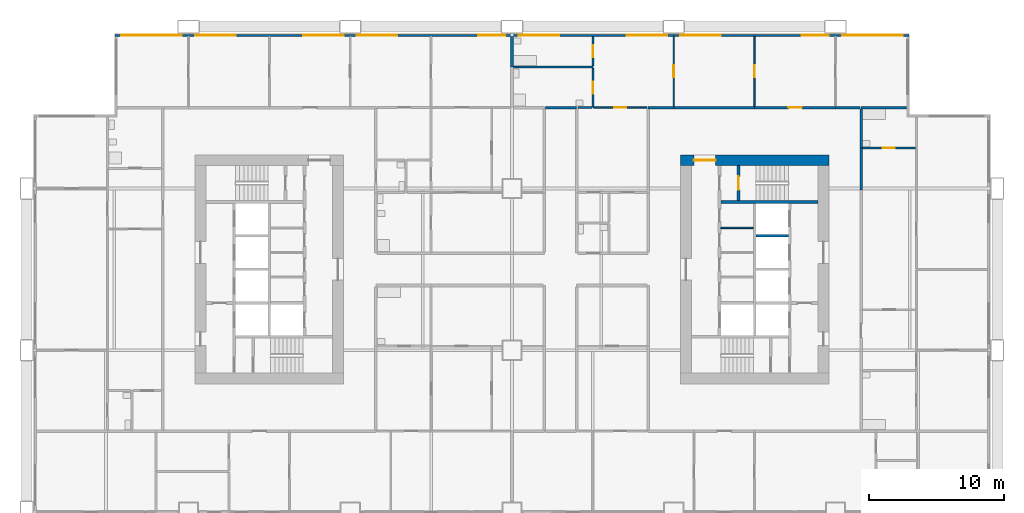
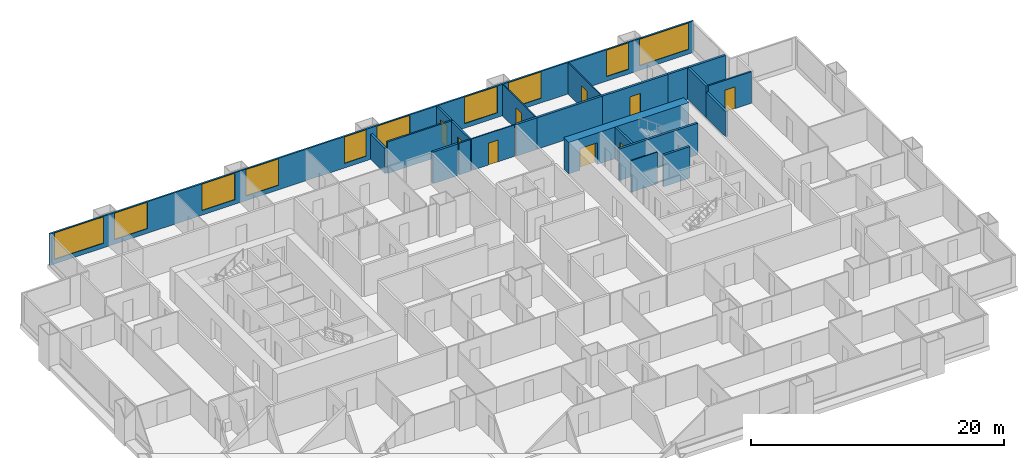
# One storey, part 9 of 13: 23 walls, 10 windows, 9 doors, 19 openings.
"""IFC4 building model written with IfcOpenShell, lengths in metres."""

from ifc_helpers import new_model, si_unit, direction, frame, frame_2d, origin, place, context, subcontext, project, spatial, rectangle, extrude, material, layer, layer_set, type_object, element, fill, save


model = new_model("IFC4")

# Units and contexts
model_context = context("Model", 3, precision=1e-05, world=origin(), true_north=direction((0.0, 1.0)))
body_context = subcontext(model_context, "Body", "Model", "MODEL_VIEW")
ifc_project = project(units=[si_unit("LENGTHUNIT", "METRE"), si_unit("AREAUNIT", "SQUARE_METRE"), si_unit("VOLUMEUNIT", "CUBIC_METRE"), si_unit("PLANEANGLEUNIT", "RADIAN"), si_unit("MASSUNIT", "GRAM", prefix="KILO")], contexts=[model_context])

# Site, building, storey
site_placement = place(None, origin())
site = spatial("IfcSite", under=ifc_project, at=site_placement, CompositionType="ELEMENT")
building_placement = place(site_placement, origin())
building = spatial("IfcBuilding", under=site, at=building_placement, Name="Kitamizu Gate Tower and Museum", CompositionType="ELEMENT")
storey_placement = place(building_placement, frame((0.0, 0.0, 81.75)))
storey = spatial("IfcBuildingStorey", under=building, at=storey_placement, Name="L20", CompositionType="ELEMENT", Elevation=81.75)

# Wall, opening, door
ifc_material_1 = material(Name="Concrete Fc60", Category="concrete")
ifc_layer_1 = layer(ifc_material_1, 0.800048828125)
ifc_layer_set_1 = layer_set([ifc_layer_1], Name="Concrete Fc60")
wall_type_1 = type_object("IfcWallType", Name="Core wall 800", PredefinedType="SHEAR", material=ifc_layer_set_1)
wall_1_placement = place(storey_placement, frame((59.5, 38.10009765625, 0.0), z_axis=(0.0, 0.0, 1.0), x_axis=(-1.0, 0.0, 0.0)))
wall_1 = element("IfcWall", 1, at=wall_1_placement, inside=storey, type_object=wall_type_1, Name="Core wall EN", PredefinedType="SHEAR", context=body_context, shape_type="SweptSolid", body=[
    extrude(rectangle(XDim=11.0, YDim=0.800048828125, at=frame_2d((5.5, 0.0))), origin(), (0.0, 0.0, 1.0), 3.050048828125),
])
opening_1_placement = place(wall_1_placement, frame((8.39990234375, 0.0, 0.0)))
opening_1 = element("IfcOpeningElement", 2, at=opening_1_placement, cuts=wall_1, Name="Opening L20-096", PredefinedType="OPENING", context=body_context, shape_type="SweptSolid", body=[
    extrude(rectangle(XDim=1.60009765625, YDim=2.10009765625, at=frame_2d((0.800048828125, 1.050048828125))), frame((0.0, 0.41015625, 0.0), z_axis=(0.0, -1.0, 0.0), x_axis=(1.0, 0.0, 0.0)), (0.0, 0.0, 1.0), 0.820068359375),
])
ifc_material_2 = material(Name="Timber door set", Category="wood")
door_type_1 = type_object("IfcDoorType", Name="Entrance door 1600", OperationType="DOUBLE_DOOR_SINGLE_SWING", PredefinedType="DOOR", material=ifc_material_2)
door_1_placement = place(opening_1_placement, origin())
door_1 = element("IfcDoor", 3, at=door_1_placement, inside=storey, type_object=door_type_1, Name="Lobby door L20-096", OperationType="DOUBLE_DOOR_SINGLE_SWING", OverallHeight=2.10009765625, OverallWidth=1.60009765625, PredefinedType="DOOR", context=body_context, shape_type="SweptSolid", body=[
    extrude(rectangle(XDim=1.60009765625, YDim=2.10009765625, at=frame_2d((0.800048828125, 1.050048828125))), frame((0.0, 0.02490234375, 0.0), z_axis=(0.0, -1.0, 0.0), x_axis=(1.0, 0.0, 0.0)), (0.0, 0.0, 1.0), 0.050048828125),
])
fill(opening_1, door_1)

# Wall
ifc_material_3 = material(Name="Gypsum board on galvanised stud")
ifc_layer_2 = layer(ifc_material_3, 0.10009765625)
ifc_layer_set_2 = layer_set([ifc_layer_2], Name="Gypsum board on galvanised stud")
wall_type_2 = type_object("IfcWallType", Name="Partition 100", PredefinedType="PARTITIONING", material=ifc_layer_set_2)
wall_2_placement = place(storey_placement, frame((53.89990234375, 33.074951171875, 0.0), z_axis=(0.0, 0.0, 1.0), x_axis=(-1.0, 0.0, 0.0)))
element("IfcWall", 4, at=wall_2_placement, inside=storey, type_object=wall_type_2, Name="Partition EPF3", PredefinedType="PARTITIONING", context=body_context, shape_type="SweptSolid", body=[
    extrude(rectangle(XDim=2.39990234375, YDim=0.10009765625, at=frame_2d((1.199951171875, 0.0))), origin(), (0.0, 0.0, 1.0), 3.050048828125),
])

# Wall, opening, door
ifc_material_4 = material(Name="Gypsum board on galvanised stud")
ifc_layer_3 = layer(ifc_material_4, 0.10009765625)
ifc_layer_set_3 = layer_set([ifc_layer_3], Name="Gypsum board on galvanised stud")
wall_type_3 = type_object("IfcWallType", Name="Partition 100 NOT RATED", PredefinedType="PARTITIONING", material=ifc_layer_set_3)
wall_3_placement = place(storey_placement, frame((48.0, 42.10009765625, 0.0), z_axis=(0.0, 0.0, 1.0), x_axis=(0.0, 1.0, 0.0)))
wall_3 = element("IfcWall", 5, at=wall_3_placement, inside=storey, type_object=wall_type_3, Name="Partition L20-193", PredefinedType="PARTITIONING", context=body_context, shape_type="SweptSolid", body=[
    extrude(rectangle(XDim=5.179931640625, YDim=0.10009765625, at=frame_2d((2.58984375, 0.0))), origin(), (0.0, 0.0, 1.0), 3.050048828125),
])
opening_2_placement = place(wall_3_placement, frame((2.139892578125, 0.0, 0.0)))
opening_2 = element("IfcOpeningElement", 6, at=opening_2_placement, cuts=wall_3, Name="Opening L20-069", PredefinedType="OPENING", context=body_context, shape_type="SweptSolid", body=[
    extrude(rectangle(XDim=0.89990234375, YDim=2.10009765625, at=frame_2d((0.449951171875, 1.050048828125))), frame((0.0, 0.06005859375, 0.0), z_axis=(0.0, -1.0, 0.0), x_axis=(1.0, 0.0, 0.0)), (0.0, 0.0, 1.0), 0.1201171875),
])
ifc_material_5 = material(Name="Timber door set", Category="wood")
door_type_2 = type_object("IfcDoorType", Name="Room door 900", OperationType="NOTDEFINED", PredefinedType="DOOR", material=ifc_material_5)
door_2_placement = place(opening_2_placement, origin())
door_2 = element("IfcDoor", 7, at=door_2_placement, inside=storey, type_object=door_type_2, Name="Door L20-069", OperationType="SINGLE_SWING_LEFT", OverallHeight=2.10009765625, OverallWidth=0.89990234375, PredefinedType="DOOR", context=body_context, shape_type="SweptSolid", body=[
    extrude(rectangle(XDim=0.89990234375, YDim=2.10009765625, at=frame_2d((0.449951171875, 1.050048828125))), frame((0.0, 0.02490234375, 0.0), z_axis=(0.0, -1.0, 0.0), x_axis=(1.0, 0.0, 0.0)), (0.0, 0.0, 1.0), 0.050048828125),
])
fill(opening_2, door_2)

wall_4_placement = place(storey_placement, frame((42.074951171875, 42.0, 0.0), z_axis=(0.0, 0.0, 1.0), x_axis=(1.0, 0.0, 0.0)))
wall_4 = element("IfcWall", 8, at=wall_4_placement, inside=storey, type_object=wall_type_3, Name="Partition L20-194", PredefinedType="PARTITIONING", context=body_context, shape_type="SweptSolid", body=[
    extrude(rectangle(XDim=3.925048828125, YDim=0.10009765625, at=frame_2d((1.96240234375, 0.0))), origin(), (0.0, 0.0, 1.0), 3.050048828125),
])
opening_3_placement = place(wall_4_placement, frame((1.512451171875, 0.0, 0.0)))
opening_3 = element("IfcOpeningElement", 9, at=opening_3_placement, cuts=wall_4, Name="Opening L20-070", PredefinedType="OPENING", context=body_context, shape_type="SweptSolid", body=[
    extrude(rectangle(XDim=0.89990234375, YDim=2.10009765625, at=frame_2d((0.449951171875, 1.050048828125))), frame((0.0, 0.06005859375, 0.0), z_axis=(0.0, -1.0, 0.0), x_axis=(1.0, 0.0, 0.0)), (0.0, 0.0, 1.0), 0.1201171875),
])
door_3_placement = place(opening_3_placement, origin())
door_3 = element("IfcDoor", 10, at=door_3_placement, inside=storey, type_object=door_type_2, Name="Door L20-070", OperationType="SINGLE_SWING_RIGHT", OverallHeight=2.10009765625, OverallWidth=0.89990234375, PredefinedType="DOOR", context=body_context, shape_type="SweptSolid", body=[
    extrude(rectangle(XDim=0.89990234375, YDim=2.10009765625, at=frame_2d((0.449951171875, 1.050048828125))), frame((0.0, 0.02490234375, 0.0), z_axis=(0.0, -1.0, 0.0), x_axis=(1.0, 0.0, 0.0)), (0.0, 0.0, 1.0), 0.050048828125),
])
fill(opening_3, door_3)

wall_5_placement = place(storey_placement, frame((54.0, 42.10009765625, 0.0), z_axis=(0.0, 0.0, 1.0), x_axis=(0.0, 1.0, 0.0)))
wall_5 = element("IfcWall", 11, at=wall_5_placement, inside=storey, type_object=wall_type_3, Name="Partition L20-196", PredefinedType="PARTITIONING", context=body_context, shape_type="SweptSolid", body=[
    extrude(rectangle(XDim=5.179931640625, YDim=0.10009765625, at=frame_2d((2.58984375, 0.0))), origin(), (0.0, 0.0, 1.0), 3.050048828125),
])
opening_4_placement = place(wall_5_placement, frame((2.139892578125, 0.0, 0.0)))
opening_4 = element("IfcOpeningElement", 12, at=opening_4_placement, cuts=wall_5, Name="Opening L20-068", PredefinedType="OPENING", context=body_context, shape_type="SweptSolid", body=[
    extrude(rectangle(XDim=0.89990234375, YDim=2.10009765625, at=frame_2d((0.449951171875, 1.050048828125))), frame((0.0, 0.06005859375, 0.0), z_axis=(0.0, -1.0, 0.0), x_axis=(1.0, 0.0, 0.0)), (0.0, 0.0, 1.0), 0.1201171875),
])
door_4_placement = place(opening_4_placement, origin())
door_4 = element("IfcDoor", 13, at=door_4_placement, inside=storey, type_object=door_type_2, Name="Door L20-068", OperationType="SINGLE_SWING_RIGHT", OverallHeight=2.10009765625, OverallWidth=0.89990234375, PredefinedType="DOOR", context=body_context, shape_type="SweptSolid", body=[
    extrude(rectangle(XDim=0.89990234375, YDim=2.10009765625, at=frame_2d((0.449951171875, 1.050048828125))), frame((0.0, 0.02490234375, 0.0), z_axis=(0.0, -1.0, 0.0), x_axis=(1.0, 0.0, 0.0)), (0.0, 0.0, 1.0), 0.050048828125),
])
fill(opening_4, door_4)

ifc_material_6 = material(Name="Gypsum board on galvanised stud")
ifc_layer_4 = layer(ifc_material_6, 0.14990234375)
ifc_layer_set_4 = layer_set([ifc_layer_4], Name="Gypsum board on galvanised stud")
wall_type_4 = type_object("IfcWallType", Name="Partition 150", PredefinedType="PARTITIONING", material=ifc_layer_set_4)
wall_6_placement = place(storey_placement, frame((65.925048828125, 39.0, 0.0), z_axis=(0.0, 0.0, 1.0), x_axis=(-1.0, 0.0, 0.0)))
wall_6 = element("IfcWall", 14, at=wall_6_placement, inside=storey, type_object=wall_type_4, Name="Partition L20-183", PredefinedType="PARTITIONING", context=body_context, shape_type="SweptSolid", body=[
    extrude(rectangle(XDim=3.925048828125, YDim=0.14990234375, at=frame_2d((1.96240234375, 0.0))), origin(), (0.0, 0.0, 1.0), 3.050048828125),
])
opening_5_placement = place(wall_6_placement, frame((1.512451171875, 0.0, 0.0)))
opening_5 = element("IfcOpeningElement", 15, at=opening_5_placement, cuts=wall_6, Name="Opening L20-065", PredefinedType="OPENING", context=body_context, shape_type="SweptSolid", body=[
    extrude(rectangle(XDim=0.89990234375, YDim=2.10009765625, at=frame_2d((0.449951171875, 1.050048828125))), frame((0.0, 0.0849609375, 0.0), z_axis=(0.0, -1.0, 0.0), x_axis=(1.0, 0.0, 0.0)), (0.0, 0.0, 1.0), 0.169921875),
])
ifc_material_7 = material(Name="Timber door set", Category="wood")
door_type_3 = type_object("IfcDoorType", Name="Bathroom door 900", OperationType="NOTDEFINED", PredefinedType="DOOR", material=ifc_material_7)
door_5_placement = place(opening_5_placement, frame((0.89990234375, 0.0, 0.0), x_axis=(-1.0, 0.0, 0.0)))
door_5 = element("IfcDoor", 16, at=door_5_placement, inside=storey, type_object=door_type_3, Name="Bathroom door L20-065", OperationType="SINGLE_SWING_RIGHT", OverallHeight=2.10009765625, OverallWidth=0.89990234375, PredefinedType="DOOR", context=body_context, shape_type="SweptSolid", body=[
    extrude(rectangle(XDim=0.89990234375, YDim=2.10009765625, at=frame_2d((0.449951171875, 1.050048828125))), frame((0.0, 0.02490234375, 0.0), z_axis=(0.0, -1.0, 0.0), x_axis=(1.0, 0.0, 0.0)), (0.0, 0.0, 1.0), 0.050048828125),
])
fill(opening_5, door_5)

# Wall
wall_7_placement = place(storey_placement, frame((42.0, 45.0, 0.0), z_axis=(0.0, 0.0, 1.0), x_axis=(-1.0, 0.0, 0.0)))
element("IfcWall", 17, at=wall_7_placement, inside=storey, type_object=wall_type_4, Name="Partition L20-188", PredefinedType="PARTITIONING", context=body_context, shape_type="SweptSolid", body=[
    extrude(rectangle(XDim=5.89990234375, YDim=0.14990234375, at=frame_2d((2.949951171875, 0.0))), origin(), (0.0, 0.0, 1.0), 3.050048828125),
])

# Wall, opening, door
wall_8_placement = place(storey_placement, frame((42.0, 42.0, 0.0), z_axis=(0.0, 0.0, 1.0), x_axis=(0.0, 1.0, 0.0)))
wall_8 = element("IfcWall", 18, at=wall_8_placement, inside=storey, type_object=wall_type_4, Name="Partition L20-189", PredefinedType="PARTITIONING", context=body_context, shape_type="SweptSolid", body=[
    extrude(rectangle(XDim=2.925048828125, YDim=0.14990234375, at=frame_2d((1.46240234375, 0.0))), origin(), (0.0, 0.0, 1.0), 3.050048828125),
])
opening_6_placement = place(wall_8_placement, frame((1.012451171875, 0.0, 0.0)))
opening_6 = element("IfcOpeningElement", 19, at=opening_6_placement, cuts=wall_8, Name="Opening L20-073", PredefinedType="OPENING", context=body_context, shape_type="SweptSolid", body=[
    extrude(rectangle(XDim=0.89990234375, YDim=2.10009765625, at=frame_2d((0.449951171875, 1.050048828125))), frame((0.0, 0.0849609375, 0.0), z_axis=(0.0, -1.0, 0.0), x_axis=(1.0, 0.0, 0.0)), (0.0, 0.0, 1.0), 0.169921875),
])
door_6_placement = place(opening_6_placement, origin())
door_6 = element("IfcDoor", 20, at=door_6_placement, inside=storey, type_object=door_type_3, Name="Bathroom door L20-073", OperationType="SINGLE_SWING_LEFT", OverallHeight=2.10009765625, OverallWidth=0.89990234375, PredefinedType="DOOR", context=body_context, shape_type="SweptSolid", body=[
    extrude(rectangle(XDim=0.89990234375, YDim=2.10009765625, at=frame_2d((0.449951171875, 1.050048828125))), frame((0.0, 0.02490234375, 0.0), z_axis=(0.0, -1.0, 0.0), x_axis=(1.0, 0.0, 0.0)), (0.0, 0.0, 1.0), 0.050048828125),
])
fill(opening_6, door_6)

# Wall
wall_9_placement = place(storey_placement, frame((40.89990234375, 42.0, 0.0), z_axis=(0.0, 0.0, 1.0), x_axis=(1.0, 0.0, 0.0)))
element("IfcWall", 21, at=wall_9_placement, inside=storey, type_object=wall_type_4, Name="Partition L20-190", PredefinedType="PARTITIONING", context=body_context, shape_type="SweptSolid", body=[
    extrude(rectangle(XDim=1.025146484375, YDim=0.14990234375, at=frame_2d((0.5126953125, 0.0))), origin(), (0.0, 0.0, 1.0), 3.050048828125),
])

# Wall, opening, door
wall_10_placement = place(storey_placement, frame((42.0, 45.074951171875, 0.0), z_axis=(0.0, 0.0, 1.0), x_axis=(0.0, 1.0, 0.0)))
wall_10 = element("IfcWall", 22, at=wall_10_placement, inside=storey, type_object=wall_type_4, Name="Partition L20-192", PredefinedType="PARTITIONING", context=body_context, shape_type="SweptSolid", body=[
    extrude(rectangle(XDim=2.205078125, YDim=0.14990234375, at=frame_2d((1.1025390625, 0.0))), origin(), (0.0, 0.0, 1.0), 3.050048828125),
])
opening_7_placement = place(wall_10_placement, frame((0.652587890625, 0.0, 0.0)))
opening_7 = element("IfcOpeningElement", 23, at=opening_7_placement, cuts=wall_10, Name="Opening L20-074", PredefinedType="OPENING", context=body_context, shape_type="SweptSolid", body=[
    extrude(rectangle(XDim=0.89990234375, YDim=2.10009765625, at=frame_2d((0.449951171875, 1.050048828125))), frame((0.0, 0.0849609375, 0.0), z_axis=(0.0, -1.0, 0.0), x_axis=(1.0, 0.0, 0.0)), (0.0, 0.0, 1.0), 0.169921875),
])
door_7_placement = place(opening_7_placement, origin())
door_7 = element("IfcDoor", 24, at=door_7_placement, inside=storey, type_object=door_type_3, Name="Bathroom door L20-074", OperationType="SINGLE_SWING_RIGHT", OverallHeight=2.10009765625, OverallWidth=0.89990234375, PredefinedType="DOOR", context=body_context, shape_type="SweptSolid", body=[
    extrude(rectangle(XDim=0.89990234375, YDim=2.10009765625, at=frame_2d((0.449951171875, 1.050048828125))), frame((0.0, 0.02490234375, 0.0), z_axis=(0.0, -1.0, 0.0), x_axis=(1.0, 0.0, 0.0)), (0.0, 0.0, 1.0), 0.050048828125),
])
fill(opening_7, door_7)

# Walls
ifc_material_8 = material(Name="Gypsum board on galvanised stud")
ifc_layer_5 = layer(ifc_material_8, 0.199951171875)
ifc_layer_set_5 = layer_set([ifc_layer_5], Name="Gypsum board on galvanised stud")
wall_type_5 = type_object("IfcWallType", Name="Partition 200", PredefinedType="PARTITIONING", material=ifc_layer_set_5)
wall_11_placement = place(storey_placement, frame((36.0, 45.0, 0.0), z_axis=(0.0, 0.0, 1.0), x_axis=(0.0, 1.0, 0.0)))
element("IfcWall", 25, at=wall_11_placement, inside=storey, type_object=wall_type_5, Name="Partition L20-095", PredefinedType="PARTITIONING", context=body_context, shape_type="SweptSolid", body=[
    extrude(rectangle(XDim=2.280029296875, YDim=0.199951171875, at=frame_2d((1.14013671875, 0.0))), origin(), (0.0, 0.0, 1.0), 2.449951171875),
])
wall_12_placement = place(storey_placement, frame((61.89990234375, 39.0, 0.0), z_axis=(0.0, 0.0, 1.0), x_axis=(0.0, -1.0, 0.0)))
element("IfcWall", 26, at=wall_12_placement, inside=storey, type_object=wall_type_5, Name="Partition L20-184", PredefinedType="PARTITIONING", context=body_context, shape_type="SweptSolid", body=[
    extrude(rectangle(XDim=3.10009765625, YDim=0.199951171875, at=frame_2d((1.550048828125, 0.0))), origin(), (0.0, 0.0, 1.0), 2.449951171875),
])
wall_13_placement = place(storey_placement, frame((65.280029296875, 42.0, 0.0), z_axis=(0.0, 0.0, 1.0), x_axis=(-1.0, 0.0, 0.0)))
element("IfcWall", 27, at=wall_13_placement, inside=storey, type_object=wall_type_5, Name="Partition L20-186", PredefinedType="PARTITIONING", context=body_context, shape_type="SweptSolid", body=[
    extrude(rectangle(XDim=3.380126953125, YDim=0.199951171875, at=frame_2d((1.68994140625, 0.0))), origin(), (0.0, 0.0, 1.0), 3.050048828125),
])
wall_14_placement = place(storey_placement, frame((61.89990234375, 41.89990234375, 0.0), z_axis=(0.0, 0.0, 1.0), x_axis=(0.0, -1.0, 0.0)))
element("IfcWall", 28, at=wall_14_placement, inside=storey, type_object=wall_type_5, Name="Partition L20-187", PredefinedType="PARTITIONING", context=body_context, shape_type="SweptSolid", body=[
    extrude(rectangle(XDim=2.89990234375, YDim=0.199951171875, at=frame_2d((1.449951171875, 0.0))), origin(), (0.0, 0.0, 1.0), 3.050048828125),
])
wall_15_placement = place(storey_placement, frame((38.5, 42.0, 0.0), z_axis=(0.0, 0.0, 1.0), x_axis=(1.0, 0.0, 0.0)))
element("IfcWall", 29, at=wall_15_placement, inside=storey, type_object=wall_type_5, Name="Partition L20-191", PredefinedType="PARTITIONING", context=body_context, shape_type="SweptSolid", body=[
    extrude(rectangle(XDim=2.300048828125, YDim=0.199951171875, at=frame_2d((1.14990234375, 0.0))), origin(), (0.0, 0.0, 1.0), 3.050048828125),
])
wall_16_placement = place(storey_placement, frame((46.10009765625, 42.0, 0.0), z_axis=(0.0, 0.0, 1.0), x_axis=(1.0, 0.0, 0.0)))
element("IfcWall", 30, at=wall_16_placement, inside=storey, type_object=wall_type_5, Name="Partition L20-195", PredefinedType="PARTITIONING", context=body_context, shape_type="SweptSolid", body=[
    extrude(rectangle(XDim=1.89990234375, YDim=0.199951171875, at=frame_2d((0.949951171875, 0.0))), origin(), (0.0, 0.0, 1.0), 3.050048828125),
])
wall_17_placement = place(storey_placement, frame((48.0, 42.0, 0.0), z_axis=(0.0, 0.0, 1.0), x_axis=(1.0, 0.0, 0.0)))
element("IfcWall", 31, at=wall_17_placement, inside=storey, type_object=wall_type_5, Name="Partition L20-197", PredefinedType="PARTITIONING", context=body_context, shape_type="SweptSolid", body=[
    extrude(rectangle(XDim=6.0, YDim=0.199951171875, at=frame_2d((3.0, 0.0))), origin(), (0.0, 0.0, 1.0), 3.050048828125),
])

# Wall, opening, door
wall_18_placement = place(storey_placement, frame((54.0, 42.0, 0.0), z_axis=(0.0, 0.0, 1.0), x_axis=(1.0, 0.0, 0.0)))
wall_18 = element("IfcWall", 32, at=wall_18_placement, inside=storey, type_object=wall_type_5, Name="Partition L20-199", PredefinedType="PARTITIONING", context=body_context, shape_type="SweptSolid", body=[
    extrude(rectangle(XDim=6.0, YDim=0.199951171875, at=frame_2d((3.0, 0.0))), origin(), (0.0, 0.0, 1.0), 3.050048828125),
])
opening_8_placement = place(wall_18_placement, frame((2.5, 0.0, 0.0)))
opening_8 = element("IfcOpeningElement", 33, at=opening_8_placement, cuts=wall_18, Name="Opening L20-066", PredefinedType="OPENING", context=body_context, shape_type="SweptSolid", body=[
    extrude(rectangle(XDim=1.0, YDim=2.10009765625, at=frame_2d((0.5, 1.050048828125))), frame((0.0, 0.10986328125, 0.0), z_axis=(0.0, -1.0, 0.0), x_axis=(1.0, 0.0, 0.0)), (0.0, 0.0, 1.0), 0.219970703125),
])
ifc_material_9 = material(Name="Timber door set", Category="wood")
door_type_4 = type_object("IfcDoorType", Name="Flat entrance door 1000", OperationType="NOTDEFINED", PredefinedType="DOOR", material=ifc_material_9)
door_8_placement = place(opening_8_placement, origin())
door_8 = element("IfcDoor", 34, at=door_8_placement, inside=storey, type_object=door_type_4, Name="Flat entrance door L20-066", OperationType="SINGLE_SWING_RIGHT", OverallHeight=2.10009765625, OverallWidth=1.0, PredefinedType="DOOR", context=body_context, shape_type="SweptSolid", body=[
    extrude(rectangle(XDim=1.0, YDim=2.10009765625, at=frame_2d((0.5, 1.050048828125))), frame((0.0, 0.02490234375, 0.0), z_axis=(0.0, -1.0, 0.0), x_axis=(1.0, 0.0, 0.0)), (0.0, 0.0, 1.0), 0.050048828125),
])
fill(opening_8, door_8)

# Walls
wall_19_placement = place(storey_placement, frame((60.0, 42.0, 0.0), z_axis=(0.0, 0.0, 1.0), x_axis=(1.0, 0.0, 0.0)))
element("IfcWall", 35, at=wall_19_placement, inside=storey, type_object=wall_type_5, Name="Partition L20-200", PredefinedType="PARTITIONING", context=body_context, shape_type="SweptSolid", body=[
    extrude(rectangle(XDim=1.800048828125, YDim=0.199951171875, at=frame_2d((0.89990234375, 0.0))), origin(), (0.0, 0.0, 1.0), 3.050048828125),
])
ifc_material_10 = material(Name="Concrete Fc42", Category="concrete")
ifc_layer_6 = layer(ifc_material_10, 0.199951171875)
ifc_layer_set_6 = layer_set([ifc_layer_6], Name="Concrete Fc42")
wall_type_6 = type_object("IfcWallType", Name="Shaft wall 200", PredefinedType="SOLIDWALL", material=ifc_layer_set_6)
wall_20_placement = place(storey_placement, frame((58.699951171875, 35.0, 0.0), z_axis=(0.0, 0.0, 1.0), x_axis=(-1.0, 0.0, 0.0)))
element("IfcWall", 36, at=wall_20_placement, inside=storey, type_object=wall_type_6, Name="Shaft wall ENB", PredefinedType="SOLIDWALL", context=body_context, shape_type="SweptSolid", body=[
    extrude(rectangle(XDim=7.199951171875, YDim=0.199951171875, at=frame_2d((3.60009765625, 0.0))), origin(), (0.0, 0.0, 1.0), 3.050048828125),
])

# Wall, opening, door
wall_21_placement = place(storey_placement, frame((52.800048828125, 35.10009765625, 0.0), z_axis=(0.0, 0.0, 1.0), x_axis=(0.0, 1.0, 0.0)))
wall_21 = element("IfcWall", 37, at=wall_21_placement, inside=storey, type_object=wall_type_6, Name="Shaft wall ENZ", PredefinedType="SOLIDWALL", context=body_context, shape_type="SweptSolid", body=[
    extrude(rectangle(XDim=2.599853515625, YDim=0.199951171875, at=frame_2d((1.2998046875, 0.0))), origin(), (0.0, 0.0, 1.0), 3.050048828125),
])
opening_9_placement = place(wall_21_placement, frame((0.800048828125, 0.0, 0.0)))
opening_9 = element("IfcOpeningElement", 38, at=opening_9_placement, cuts=wall_21, Name="Opening L20-092", PredefinedType="OPENING", context=body_context, shape_type="SweptSolid", body=[
    extrude(rectangle(XDim=1.0, YDim=2.10009765625, at=frame_2d((0.5, 1.050048828125))), frame((0.0, 0.10986328125, 0.0), z_axis=(0.0, -1.0, 0.0), x_axis=(1.0, 0.0, 0.0)), (0.0, 0.0, 1.0), 0.219970703125),
])
ifc_material_11 = material(Name="Hollow metal door set")
door_type_5 = type_object("IfcDoorType", Name="Fire door 1000", OperationType="NOTDEFINED", PredefinedType="DOOR", material=ifc_material_11)
door_9_placement = place(opening_9_placement, frame((1.0, 0.0, 0.0), x_axis=(-1.0, 0.0, 0.0)))
door_9 = element("IfcDoor", 39, at=door_9_placement, inside=storey, type_object=door_type_5, Name="Stair door L20-092", OperationType="SINGLE_SWING_RIGHT", OverallHeight=2.10009765625, OverallWidth=1.0, PredefinedType="DOOR", context=body_context, shape_type="SweptSolid", body=[
    extrude(rectangle(XDim=1.0, YDim=2.10009765625, at=frame_2d((0.5, 1.050048828125))), frame((0.0, 0.02490234375, 0.0), z_axis=(0.0, -1.0, 0.0), x_axis=(1.0, 0.0, 0.0)), (0.0, 0.0, 1.0), 0.050048828125),
])
fill(opening_9, door_9)

# Wall
wall_22_placement = place(storey_placement, frame((56.5, 32.5, 0.0), z_axis=(0.0, 0.0, 1.0), x_axis=(-1.0, 0.0, 0.0)))
element("IfcWall", 40, at=wall_22_placement, inside=storey, type_object=wall_type_6, Name="Shaft wall EDVW2", PredefinedType="SOLIDWALL", context=body_context, shape_type="SweptSolid", body=[
    extrude(rectangle(XDim=2.39990234375, YDim=0.199951171875, at=frame_2d((1.199951171875, 0.0))), origin(), (0.0, 0.0, 1.0), 3.050048828125),
])

# Wall, openings, windows
ifc_material_12 = material(Name="Bronze anodised aluminium frame with insulated spandrel and tinted glass", Category="aluminium")
ifc_layer_7 = layer(ifc_material_12, 0.14990234375)
ifc_layer_set_7 = layer_set([ifc_layer_7], Name="Bronze anodised aluminium frame with insulated spandrel and tinted glass")
wall_type_7 = type_object("IfcWallType", Name="WINDOW WALL 150 BRONZE FRAME EI 30", PredefinedType="ELEMENTEDWALL", material=ifc_layer_set_7)
wall_23_placement = place(storey_placement, frame((6.56005859375, 47.364990234375, 0.0), z_axis=(0.0, 0.0, 1.0), x_axis=(1.0, 0.0, 0.0)))
wall_23 = element("IfcWall", 41, at=wall_23_placement, inside=storey, type_object=wall_type_7, Name="Window wall north L20", PredefinedType="ELEMENTEDWALL", context=body_context, shape_type="SweptSolid", body=[
    extrude(rectangle(XDim=58.8798828125, YDim=0.14990234375, at=frame_2d((29.43994140625, 0.0))), origin(), (0.0, 0.0, 1.0), 3.050048828125),
])
opening_10_placement = place(wall_23_placement, frame((0.43994140625, 0.0, 0.449951171875)))
opening_10 = element("IfcOpeningElement", 42, at=opening_10_placement, cuts=wall_23, Name="Opening W15", PredefinedType="OPENING", context=body_context, shape_type="SweptSolid", body=[
    extrude(rectangle(XDim=4.5, YDim=2.550048828125, at=frame_2d((2.25, 1.27490234375))), frame((0.0, 0.0849609375, 0.0), z_axis=(0.0, -1.0, 0.0), x_axis=(1.0, 0.0, 0.0)), (0.0, 0.0, 1.0), 0.169921875),
])
opening_11_placement = place(wall_23_placement, frame((5.93994140625, 0.0, 0.449951171875)))
opening_11 = element("IfcOpeningElement", 43, at=opening_11_placement, cuts=wall_23, Name="Opening W33", PredefinedType="OPENING", context=body_context, shape_type="SweptSolid", body=[
    extrude(rectangle(XDim=3.0, YDim=2.550048828125, at=frame_2d((1.5, 1.27490234375))), frame((0.0, 0.0849609375, 0.0), z_axis=(0.0, -1.0, 0.0), x_axis=(1.0, 0.0, 0.0)), (0.0, 0.0, 1.0), 0.169921875),
])
opening_12_placement = place(wall_23_placement, frame((13.93994140625, 0.0, 0.449951171875)))
opening_12 = element("IfcOpeningElement", 44, at=opening_12_placement, cuts=wall_23, Name="Opening W33", PredefinedType="OPENING", context=body_context, shape_type="SweptSolid", body=[
    extrude(rectangle(XDim=3.0, YDim=2.550048828125, at=frame_2d((1.5, 1.27490234375))), frame((0.0, 0.0849609375, 0.0), z_axis=(0.0, -1.0, 0.0), x_axis=(1.0, 0.0, 0.0)), (0.0, 0.0, 1.0), 0.169921875),
])
opening_13_placement = place(wall_23_placement, frame((17.93994140625, 0.0, 0.449951171875)))
opening_13 = element("IfcOpeningElement", 45, at=opening_13_placement, cuts=wall_23, Name="Opening W33", PredefinedType="OPENING", context=body_context, shape_type="SweptSolid", body=[
    extrude(rectangle(XDim=3.0, YDim=2.550048828125, at=frame_2d((1.5, 1.27490234375))), frame((0.0, 0.0849609375, 0.0), z_axis=(0.0, -1.0, 0.0), x_axis=(1.0, 0.0, 0.0)), (0.0, 0.0, 1.0), 0.169921875),
])
opening_14_placement = place(wall_23_placement, frame((26.93994140625, 0.0, 0.449951171875)))
opening_14 = element("IfcOpeningElement", 46, at=opening_14_placement, cuts=wall_23, Name="Opening W2", PredefinedType="OPENING", context=body_context, shape_type="SweptSolid", body=[
    extrude(rectangle(XDim=2.0, YDim=2.550048828125, at=frame_2d((1.0, 1.27490234375))), frame((0.0, 0.0849609375, 0.0), z_axis=(0.0, -1.0, 0.0), x_axis=(1.0, 0.0, 0.0)), (0.0, 0.0, 1.0), 0.169921875),
])
opening_15_placement = place(wall_23_placement, frame((29.93994140625, 0.0, 0.449951171875)))
opening_15 = element("IfcOpeningElement", 47, at=opening_15_placement, cuts=wall_23, Name="Opening W33", PredefinedType="OPENING", context=body_context, shape_type="SweptSolid", body=[
    extrude(rectangle(XDim=3.0, YDim=2.550048828125, at=frame_2d((1.5, 1.27490234375))), frame((0.0, 0.0849609375, 0.0), z_axis=(0.0, -1.0, 0.0), x_axis=(1.0, 0.0, 0.0)), (0.0, 0.0, 1.0), 0.169921875),
])
opening_16_placement = place(wall_23_placement, frame((37.93994140625, 0.0, 0.449951171875)))
opening_16 = element("IfcOpeningElement", 48, at=opening_16_placement, cuts=wall_23, Name="Opening W33", PredefinedType="OPENING", context=body_context, shape_type="SweptSolid", body=[
    extrude(rectangle(XDim=3.0, YDim=2.550048828125, at=frame_2d((1.5, 1.27490234375))), frame((0.0, 0.0849609375, 0.0), z_axis=(0.0, -1.0, 0.0), x_axis=(1.0, 0.0, 0.0)), (0.0, 0.0, 1.0), 0.169921875),
])
opening_17_placement = place(wall_23_placement, frame((41.93994140625, 0.0, 0.449951171875)))
opening_17 = element("IfcOpeningElement", 49, at=opening_17_placement, cuts=wall_23, Name="Opening W33", PredefinedType="OPENING", context=body_context, shape_type="SweptSolid", body=[
    extrude(rectangle(XDim=3.0, YDim=2.550048828125, at=frame_2d((1.5, 1.27490234375))), frame((0.0, 0.0849609375, 0.0), z_axis=(0.0, -1.0, 0.0), x_axis=(1.0, 0.0, 0.0)), (0.0, 0.0, 1.0), 0.169921875),
])
opening_18_placement = place(wall_23_placement, frame((50.93994140625, 0.0, 0.449951171875)))
opening_18 = element("IfcOpeningElement", 50, at=opening_18_placement, cuts=wall_23, Name="Opening W2", PredefinedType="OPENING", context=body_context, shape_type="SweptSolid", body=[
    extrude(rectangle(XDim=2.0, YDim=2.550048828125, at=frame_2d((1.0, 1.27490234375))), frame((0.0, 0.0849609375, 0.0), z_axis=(0.0, -1.0, 0.0), x_axis=(1.0, 0.0, 0.0)), (0.0, 0.0, 1.0), 0.169921875),
])
opening_19_placement = place(wall_23_placement, frame((53.93994140625, 0.0, 0.449951171875)))
opening_19 = element("IfcOpeningElement", 51, at=opening_19_placement, cuts=wall_23, Name="Opening W15", PredefinedType="OPENING", context=body_context, shape_type="SweptSolid", body=[
    extrude(rectangle(XDim=4.5, YDim=2.550048828125, at=frame_2d((2.25, 1.27490234375))), frame((0.0, 0.0849609375, 0.0), z_axis=(0.0, -1.0, 0.0), x_axis=(1.0, 0.0, 0.0)), (0.0, 0.0, 1.0), 0.169921875),
])
ifc_material_13 = material(Name="Bronze anodised aluminium frame, tinted triple glazing", Category="aluminium")
window_type_1 = type_object("IfcWindowType", Name="WINDOW 2000 x 2550 SILL 450", PartitioningType="SINGLE_PANEL", PredefinedType="WINDOW", material=ifc_material_13)
window_1_placement = place(opening_14_placement, origin())
window_1 = element("IfcWindow", 52, at=window_1_placement, inside=storey, type_object=window_type_1, Name="Window W2 L20", OverallHeight=2.550048828125, OverallWidth=2.0, PartitioningType="SINGLE_PANEL", PredefinedType="WINDOW", context=body_context, shape_type="SweptSolid", body=[
    extrude(rectangle(XDim=2.0, YDim=2.550048828125, at=frame_2d((1.0, 1.27490234375))), frame((0.0, 0.030029296875, 0.0), z_axis=(0.0, -1.0, 0.0), x_axis=(1.0, 0.0, 0.0)), (0.0, 0.0, 1.0), 0.06005859375),
])
fill(opening_14, window_1)
window_2_placement = place(opening_18_placement, origin())
window_2 = element("IfcWindow", 53, at=window_2_placement, inside=storey, type_object=window_type_1, Name="Window W2 L20", OverallHeight=2.550048828125, OverallWidth=2.0, PartitioningType="SINGLE_PANEL", PredefinedType="WINDOW", context=body_context, shape_type="SweptSolid", body=[
    extrude(rectangle(XDim=2.0, YDim=2.550048828125, at=frame_2d((1.0, 1.27490234375))), frame((0.0, 0.030029296875, 0.0), z_axis=(0.0, -1.0, 0.0), x_axis=(1.0, 0.0, 0.0)), (0.0, 0.0, 1.0), 0.06005859375),
])
fill(opening_18, window_2)
ifc_material_14 = material(Name="Bronze anodised aluminium frame, tinted triple glazing", Category="aluminium")
window_type_2 = type_object("IfcWindowType", Name="WINDOW 3000 x 2550 SILL 450", PartitioningType="SINGLE_PANEL", PredefinedType="WINDOW", material=ifc_material_14)
window_3_placement = place(opening_11_placement, origin())
window_3 = element("IfcWindow", 54, at=window_3_placement, inside=storey, type_object=window_type_2, Name="Window W33 L20", OverallHeight=2.550048828125, OverallWidth=3.0, PartitioningType="SINGLE_PANEL", PredefinedType="WINDOW", context=body_context, shape_type="SweptSolid", body=[
    extrude(rectangle(XDim=3.0, YDim=2.550048828125, at=frame_2d((1.5, 1.27490234375))), frame((0.0, 0.030029296875, 0.0), z_axis=(0.0, -1.0, 0.0), x_axis=(1.0, 0.0, 0.0)), (0.0, 0.0, 1.0), 0.06005859375),
])
fill(opening_11, window_3)
window_4_placement = place(opening_12_placement, origin())
window_4 = element("IfcWindow", 55, at=window_4_placement, inside=storey, type_object=window_type_2, Name="Window W33 L20", OverallHeight=2.550048828125, OverallWidth=3.0, PartitioningType="SINGLE_PANEL", PredefinedType="WINDOW", context=body_context, shape_type="SweptSolid", body=[
    extrude(rectangle(XDim=3.0, YDim=2.550048828125, at=frame_2d((1.5, 1.27490234375))), frame((0.0, 0.030029296875, 0.0), z_axis=(0.0, -1.0, 0.0), x_axis=(1.0, 0.0, 0.0)), (0.0, 0.0, 1.0), 0.06005859375),
])
fill(opening_12, window_4)
window_5_placement = place(opening_13_placement, origin())
window_5 = element("IfcWindow", 56, at=window_5_placement, inside=storey, type_object=window_type_2, Name="Window W33 L20", OverallHeight=2.550048828125, OverallWidth=3.0, PartitioningType="SINGLE_PANEL", PredefinedType="WINDOW", context=body_context, shape_type="SweptSolid", body=[
    extrude(rectangle(XDim=3.0, YDim=2.550048828125, at=frame_2d((1.5, 1.27490234375))), frame((0.0, 0.030029296875, 0.0), z_axis=(0.0, -1.0, 0.0), x_axis=(1.0, 0.0, 0.0)), (0.0, 0.0, 1.0), 0.06005859375),
])
fill(opening_13, window_5)
window_6_placement = place(opening_15_placement, origin())
window_6 = element("IfcWindow", 57, at=window_6_placement, inside=storey, type_object=window_type_2, Name="Window W33 L20", OverallHeight=2.550048828125, OverallWidth=3.0, PartitioningType="SINGLE_PANEL", PredefinedType="WINDOW", context=body_context, shape_type="SweptSolid", body=[
    extrude(rectangle(XDim=3.0, YDim=2.550048828125, at=frame_2d((1.5, 1.27490234375))), frame((0.0, 0.030029296875, 0.0), z_axis=(0.0, -1.0, 0.0), x_axis=(1.0, 0.0, 0.0)), (0.0, 0.0, 1.0), 0.06005859375),
])
fill(opening_15, window_6)
window_7_placement = place(opening_16_placement, origin())
window_7 = element("IfcWindow", 58, at=window_7_placement, inside=storey, type_object=window_type_2, Name="Window W33 L20", OverallHeight=2.550048828125, OverallWidth=3.0, PartitioningType="SINGLE_PANEL", PredefinedType="WINDOW", context=body_context, shape_type="SweptSolid", body=[
    extrude(rectangle(XDim=3.0, YDim=2.550048828125, at=frame_2d((1.5, 1.27490234375))), frame((0.0, 0.030029296875, 0.0), z_axis=(0.0, -1.0, 0.0), x_axis=(1.0, 0.0, 0.0)), (0.0, 0.0, 1.0), 0.06005859375),
])
fill(opening_16, window_7)
window_8_placement = place(opening_17_placement, origin())
window_8 = element("IfcWindow", 59, at=window_8_placement, inside=storey, type_object=window_type_2, Name="Window W33 L20", OverallHeight=2.550048828125, OverallWidth=3.0, PartitioningType="SINGLE_PANEL", PredefinedType="WINDOW", context=body_context, shape_type="SweptSolid", body=[
    extrude(rectangle(XDim=3.0, YDim=2.550048828125, at=frame_2d((1.5, 1.27490234375))), frame((0.0, 0.030029296875, 0.0), z_axis=(0.0, -1.0, 0.0), x_axis=(1.0, 0.0, 0.0)), (0.0, 0.0, 1.0), 0.06005859375),
])
fill(opening_17, window_8)
ifc_material_15 = material(Name="Bronze anodised aluminium frame, tinted triple glazing", Category="aluminium")
window_type_3 = type_object("IfcWindowType", Name="WINDOW 4500 x 2550 SILL 450", PartitioningType="SINGLE_PANEL", PredefinedType="WINDOW", material=ifc_material_15)
window_9_placement = place(opening_10_placement, origin())
window_9 = element("IfcWindow", 60, at=window_9_placement, inside=storey, type_object=window_type_3, Name="Window W15 L20", OverallHeight=2.550048828125, OverallWidth=4.5, PartitioningType="SINGLE_PANEL", PredefinedType="WINDOW", context=body_context, shape_type="SweptSolid", body=[
    extrude(rectangle(XDim=4.5, YDim=2.550048828125, at=frame_2d((2.25, 1.27490234375))), frame((0.0, 0.030029296875, 0.0), z_axis=(0.0, -1.0, 0.0), x_axis=(1.0, 0.0, 0.0)), (0.0, 0.0, 1.0), 0.06005859375),
])
fill(opening_10, window_9)
window_10_placement = place(opening_19_placement, origin())
window_10 = element("IfcWindow", 61, at=window_10_placement, inside=storey, type_object=window_type_3, Name="Window W15 L20", OverallHeight=2.550048828125, OverallWidth=4.5, PartitioningType="SINGLE_PANEL", PredefinedType="WINDOW", context=body_context, shape_type="SweptSolid", body=[
    extrude(rectangle(XDim=4.5, YDim=2.550048828125, at=frame_2d((2.25, 1.27490234375))), frame((0.0, 0.030029296875, 0.0), z_axis=(0.0, -1.0, 0.0), x_axis=(1.0, 0.0, 0.0)), (0.0, 0.0, 1.0), 0.06005859375),
])
fill(opening_19, window_10)

save(model, "model.ifc")
